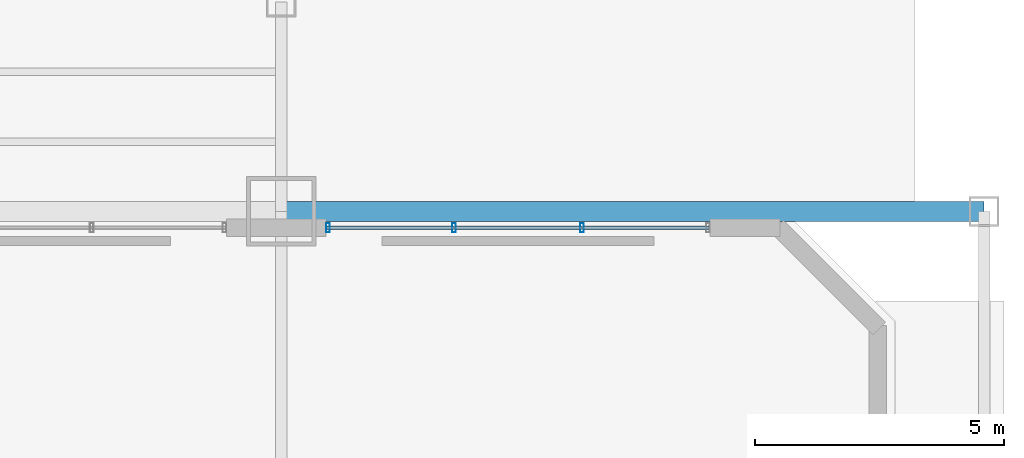
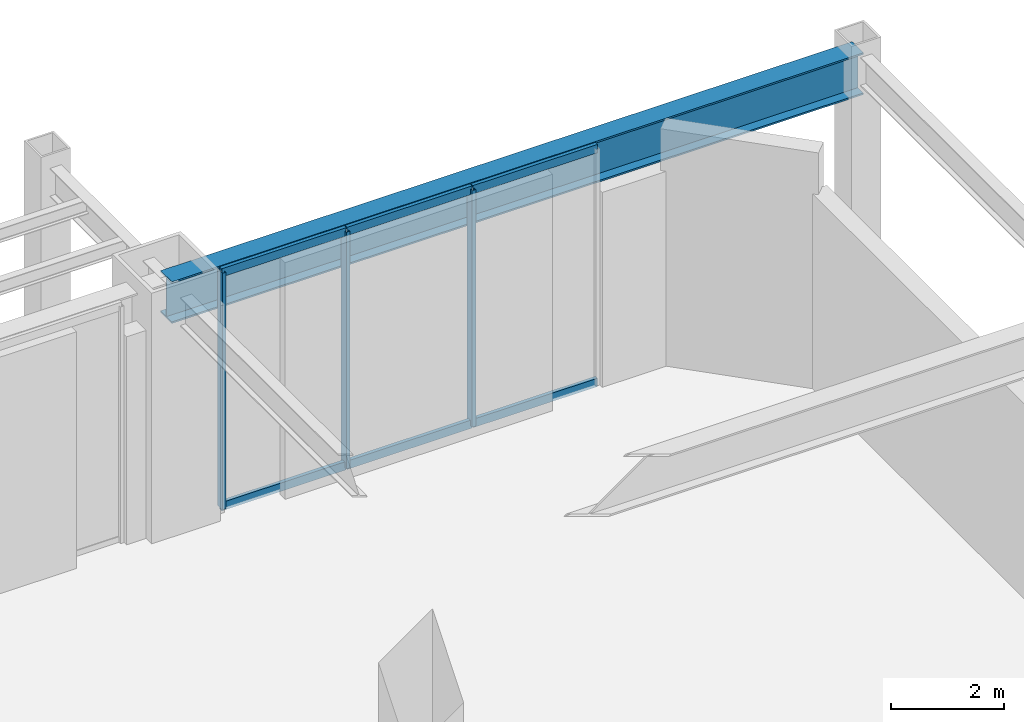
# One storey, part 13 of 23: 9 members, 1 beam, 1 element without a shape of its own.
"""IFC4 building model written with IfcOpenShell, lengths in metres."""

from ifc_helpers import new_model, si_unit, direction, frame, origin, origin_2d, place, context, subcontext, project, spatial, hollow_rectangle, i_section, extrude, material, material_profile, profile_set, type_object, element, aggregate, save


model = new_model("IFC4")

# Units and contexts
model_context = context("Model", 3, precision=1e-05, world=origin(), true_north=direction((0.0, 1.0)))
body_context = subcontext(model_context, "Body", "Model", "MODEL_VIEW")
ifc_project = project(units=[si_unit("LENGTHUNIT", "METRE"), si_unit("AREAUNIT", "SQUARE_METRE"), si_unit("VOLUMEUNIT", "CUBIC_METRE"), si_unit("PLANEANGLEUNIT", "RADIAN"), si_unit("MASSUNIT", "GRAM", prefix="KILO")], contexts=[model_context])

# Site, building, storey
site_placement = place(None, origin())
site = spatial("IfcSite", under=ifc_project, at=site_placement, CompositionType="ELEMENT")
building_placement = place(site_placement, origin())
building = spatial("IfcBuilding", under=site, at=building_placement, Name="Ventersveld Concourse Tower", CompositionType="ELEMENT")
storey_placement = place(building_placement, origin())
storey = spatial("IfcBuildingStorey", under=building, at=storey_placement, Name="L00", CompositionType="ELEMENT", Elevation=0.0)

# Curtain wall, members
ifc_material_1 = material(Name="Anodised aluminium EN AW-6063-T6", Category="aluminium")
curtain_wall_type = type_object("IfcCurtainWallType", Name="CW-CONC-1", PredefinedType="NOTDEFINED", material=ifc_material_1)
curtain_wall_placement = place(storey_placement, origin())
curtain_wall = element("IfcCurtainWall", 1, at=curtain_wall_placement, inside=storey, type_object=curtain_wall_type, Name="L00 Station Concourse North Storefront 5", PredefinedType="NOTDEFINED")
ifc_material_profile_1 = material_profile(ifc_material_1, hollow_rectangle(XDim=0.074951171875, YDim=0.179931640625, WallThickness=0.00390625, at=origin_2d()), Name="ALU 180x75x4")
ifc_profile_set_1 = profile_set([ifc_material_profile_1], Name="Anodised aluminium EN AW-6063-T6")
member_type_1 = type_object("IfcMemberType", Name="CWM-180x75", PredefinedType="MULLION", material=ifc_profile_set_1)
member_1_placement = place(storey_placement, frame((54.840087890625, 43.669921875, 0.0), z_axis=(0.0, 0.0, 1.0), x_axis=(1.0, 0.0, 0.0)))
member_1 = element("IfcMember", 2, at=member_1_placement, type_object=member_type_1, Name="CW-L00-N5 Mullion 01", PredefinedType="MULLION", context=body_context, shape_type="SweptSolid", body=[
    extrude(hollow_rectangle(XDim=0.074951171875, YDim=0.179931640625, WallThickness=0.00390625, at=origin_2d()), origin(), (0.0, 0.0, 1.0), 5.10009765625),
])
member_2_placement = place(storey_placement, frame((57.36669921875, 43.669921875, 0.0), z_axis=(0.0, 0.0, 1.0), x_axis=(1.0, 0.0, 0.0)))
member_2 = element("IfcMember", 3, at=member_2_placement, type_object=member_type_1, Name="CW-L00-N5 Mullion 02", PredefinedType="MULLION", context=body_context, shape_type="SweptSolid", body=[
    extrude(hollow_rectangle(XDim=0.074951171875, YDim=0.179931640625, WallThickness=0.00390625, at=origin_2d()), origin(), (0.0, 0.0, 1.0), 5.10009765625),
])
member_3_placement = place(storey_placement, frame((59.933349609375, 43.669921875, 0.0), z_axis=(0.0, 0.0, 1.0), x_axis=(1.0, 0.0, 0.0)))
member_3 = element("IfcMember", 4, at=member_3_placement, type_object=member_type_1, Name="CW-L00-N5 Mullion 03", PredefinedType="MULLION", context=body_context, shape_type="SweptSolid", body=[
    extrude(hollow_rectangle(XDim=0.074951171875, YDim=0.179931640625, WallThickness=0.00390625, at=origin_2d()), origin(), (0.0, 0.0, 1.0), 5.10009765625),
])
ifc_material_profile_2 = material_profile(ifc_material_1, hollow_rectangle(XDim=0.074951171875, YDim=0.179931640625, WallThickness=0.00390625, at=origin_2d()), Name="ALU 180x75x4")
ifc_profile_set_2 = profile_set([ifc_material_profile_2], Name="Anodised aluminium EN AW-6063-T6")
member_type_2 = type_object("IfcMemberType", Name="CWT-180x75", PredefinedType="USERDEFINED", material=ifc_profile_set_2)
member_4_placement = place(storey_placement, frame((54.820068359375, 43.669921875, 0.030029296875), z_axis=(1.0, 0.0, 0.0), x_axis=(0.0, 1.0, 0.0)))
member_4 = element("IfcMember", 5, at=member_4_placement, type_object=member_type_2, Name="CW-L00-N5 Transom 1-01", ObjectType="TRANSOM", PredefinedType="USERDEFINED", context=body_context, shape_type="SweptSolid", body=[
    extrude(hollow_rectangle(XDim=0.074951171875, YDim=0.179931640625, WallThickness=0.00390625, at=origin_2d()), origin(), (0.0, 0.0, 1.0), 2.53662109375),
])
member_5_placement = place(storey_placement, frame((57.376708984375, 43.669921875, 0.030029296875), z_axis=(1.0, 0.0, 0.0), x_axis=(0.0, 1.0, 0.0)))
member_5 = element("IfcMember", 6, at=member_5_placement, type_object=member_type_2, Name="CW-L00-N5 Transom 1-02", ObjectType="TRANSOM", PredefinedType="USERDEFINED", context=body_context, shape_type="SweptSolid", body=[
    extrude(hollow_rectangle(XDim=0.074951171875, YDim=0.179931640625, WallThickness=0.00390625, at=origin_2d()), origin(), (0.0, 0.0, 1.0), 2.546630859375),
])
member_6_placement = place(storey_placement, frame((59.943359375, 43.669921875, 0.030029296875), z_axis=(1.0, 0.0, 0.0), x_axis=(0.0, 1.0, 0.0)))
member_6 = element("IfcMember", 7, at=member_6_placement, type_object=member_type_2, Name="CW-L00-N5 Transom 1-03", ObjectType="TRANSOM", PredefinedType="USERDEFINED", context=body_context, shape_type="SweptSolid", body=[
    extrude(hollow_rectangle(XDim=0.074951171875, YDim=0.179931640625, WallThickness=0.00390625, at=origin_2d()), origin(), (0.0, 0.0, 1.0), 2.53662109375),
])
member_7_placement = place(storey_placement, frame((54.820068359375, 43.669921875, 5.070068359375), z_axis=(1.0, 0.0, 0.0), x_axis=(0.0, 1.0, 0.0)))
member_7 = element("IfcMember", 8, at=member_7_placement, type_object=member_type_2, Name="CW-L00-N5 Transom 2-01", ObjectType="TRANSOM", PredefinedType="USERDEFINED", context=body_context, shape_type="SweptSolid", body=[
    extrude(hollow_rectangle(XDim=0.074951171875, YDim=0.179931640625, WallThickness=0.00390625, at=origin_2d()), origin(), (0.0, 0.0, 1.0), 2.53662109375),
])
member_8_placement = place(storey_placement, frame((57.376708984375, 43.669921875, 5.070068359375), z_axis=(1.0, 0.0, 0.0), x_axis=(0.0, 1.0, 0.0)))
member_8 = element("IfcMember", 9, at=member_8_placement, type_object=member_type_2, Name="CW-L00-N5 Transom 2-02", ObjectType="TRANSOM", PredefinedType="USERDEFINED", context=body_context, shape_type="SweptSolid", body=[
    extrude(hollow_rectangle(XDim=0.074951171875, YDim=0.179931640625, WallThickness=0.00390625, at=origin_2d()), origin(), (0.0, 0.0, 1.0), 2.546630859375),
])
member_9_placement = place(storey_placement, frame((59.943359375, 43.669921875, 5.070068359375), z_axis=(1.0, 0.0, 0.0), x_axis=(0.0, 1.0, 0.0)))
member_9 = element("IfcMember", 10, at=member_9_placement, type_object=member_type_2, Name="CW-L00-N5 Transom 2-03", ObjectType="TRANSOM", PredefinedType="USERDEFINED", context=body_context, shape_type="SweptSolid", body=[
    extrude(hollow_rectangle(XDim=0.074951171875, YDim=0.179931640625, WallThickness=0.00390625, at=origin_2d()), origin(), (0.0, 0.0, 1.0), 2.53662109375),
])
aggregate(curtain_wall, [member_1, member_2, member_3, member_4, member_5, member_6, member_7, member_8, member_9])

# Beam
ifc_material_2 = material(Name="Structural steel S355J2", Category="steel")
ifc_material_profile_3 = material_profile(ifc_material_2, i_section(OverallWidth=0.39990234375, OverallDepth=0.89990234375, WebThickness=0.02197265625, FlangeThickness=0.035888671875, at=origin_2d()), Name="PG 900x400x36")
ifc_profile_set_3 = profile_set([ifc_material_profile_3], Name="Structural steel S355J2")
beam_type = type_object("IfcBeamType", Name="GRD-PG900", PredefinedType="USERDEFINED", material=ifc_profile_set_3)
beam_placement = place(storey_placement, frame((53.89990234375, 44.0, 4.64990234375), z_axis=(1.0, 0.0, 0.0), x_axis=(0.0, 1.0, 0.0)))
element("IfcBeam", 11, at=beam_placement, inside=storey, type_object=beam_type, Name="L00 Podium Primary Girder Y=44.0m", ObjectType="GIRDER", PredefinedType="USERDEFINED", context=body_context, shape_type="SweptSolid", body=[
    extrude(i_section(OverallWidth=0.39990234375, OverallDepth=0.89990234375, WebThickness=0.02197265625, FlangeThickness=0.035888671875, at=origin_2d()), origin(), (0.0, 0.0, 1.0), 14.10009765625),
])

save(model, "model.ifc")
